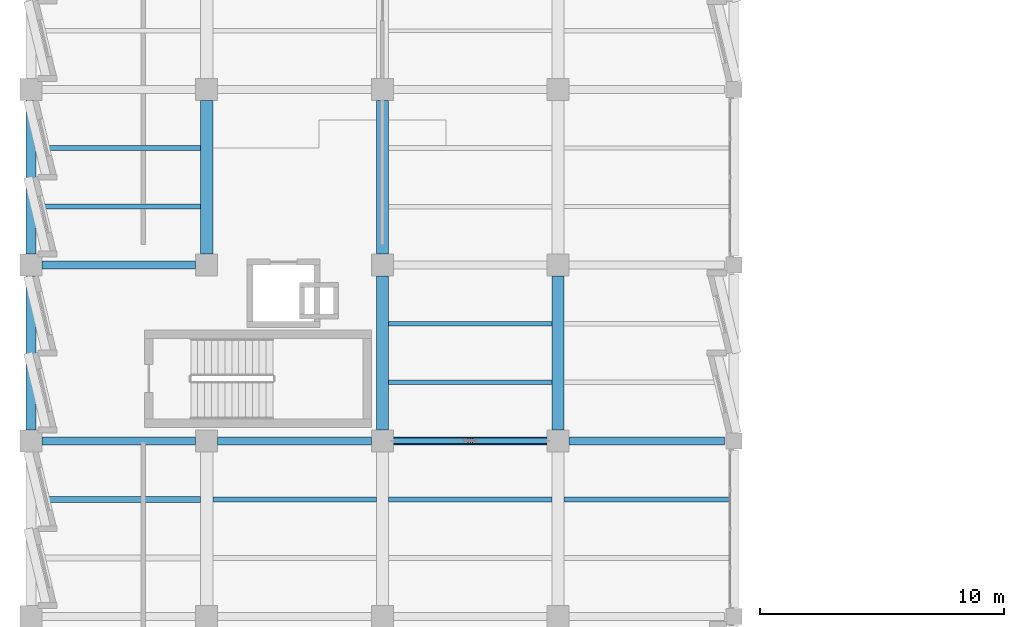
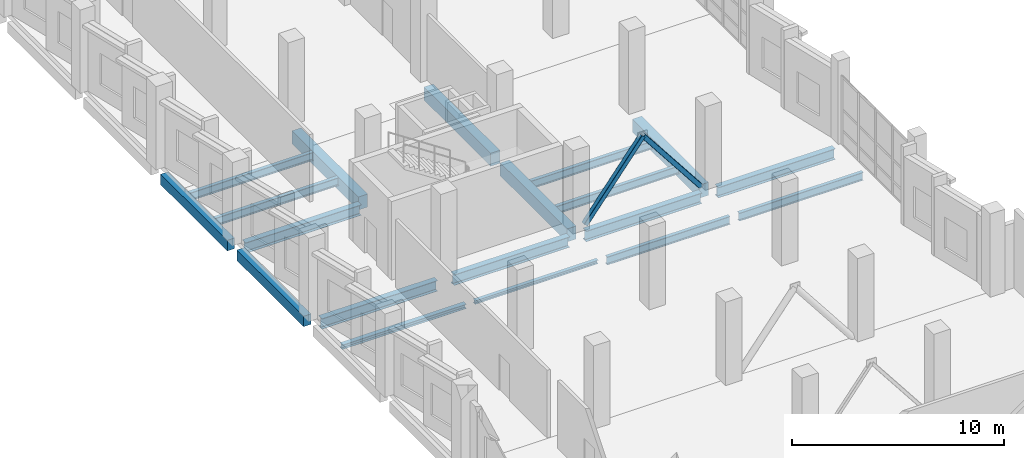
# One storey, part 17 of 127: 19 beams, 2 members.
"""IFC4 building model written with IfcOpenShell, lengths in metres."""

from ifc_helpers import new_model, si_unit, direction, frame, origin, origin_2d, place, context, subcontext, project, spatial, rectangle, hollow_rectangle, i_section, extrude, material, material_profile, profile_set, type_object, element, save


model = new_model("IFC4")

# Units and contexts
model_context = context("Model", 3, precision=1e-05, world=origin(), true_north=direction((0.0, 1.0)))
body_context = subcontext(model_context, "Body", "Model", "MODEL_VIEW")
ifc_project = project(units=[si_unit("LENGTHUNIT", "METRE"), si_unit("AREAUNIT", "SQUARE_METRE"), si_unit("VOLUMEUNIT", "CUBIC_METRE"), si_unit("PLANEANGLEUNIT", "RADIAN"), si_unit("MASSUNIT", "GRAM", prefix="KILO")], contexts=[model_context])

# Site, building, storey
site_placement = place(None, origin())
site = spatial("IfcSite", under=ifc_project, at=site_placement, CompositionType="ELEMENT")
building_placement = place(site_placement, origin())
building = spatial("IfcBuilding", under=site, at=building_placement, Name="Kalmorath City Hall", CompositionType="ELEMENT")
storey_placement = place(building_placement, frame((0.0, 0.0, 5.39990234375)))
storey = spatial("IfcBuildingStorey", under=building, at=storey_placement, Name="L01", CompositionType="ELEMENT", Elevation=5.39990234375)

# Beams
ifc_material_1 = material(Name="Concrete C40/50", Category="concrete")
ifc_material_profile_1 = material_profile(ifc_material_1, rectangle(XDim=0.39990234375, YDim=0.60009765625, at=origin_2d()), Name="RC-BM-400X600")
ifc_profile_set_1 = profile_set([ifc_material_profile_1], Name="Concrete C40/50")
beam_type_1 = type_object("IfcBeamType", Name="Concrete edge beam 400x600", PredefinedType="SPANDREL", material=ifc_profile_set_1)
beam_1_placement = place(storey_placement, frame((0.0, 50.85009765625, -0.6240234375), z_axis=(0.0, 1.0, 0.0), x_axis=(-1.0, 0.0, 0.0)))
element("IfcBeam", 1, at=beam_1_placement, inside=storey, type_object=beam_type_1, Name="L01 girder CB6 Y1/8-9", PredefinedType="SPANDREL", context=body_context, shape_type="SweptSolid", body=[
    extrude(rectangle(XDim=0.39990234375, YDim=0.60009765625, at=origin_2d()), origin(), (0.0, 0.0, 1.0), 6.2998046875),
])
beam_2_placement = place(storey_placement, frame((0.0, 58.050048828125, -0.6240234375), z_axis=(0.0, 1.0, 0.0), x_axis=(-1.0, 0.0, 0.0)))
element("IfcBeam", 2, at=beam_2_placement, inside=storey, type_object=beam_type_1, Name="L01 girder CB6 Y1/9-10", PredefinedType="SPANDREL", context=body_context, shape_type="SweptSolid", body=[
    extrude(rectangle(XDim=0.39990234375, YDim=0.60009765625, at=origin_2d()), origin(), (0.0, 0.0, 1.0), 6.300048828125),
])
ifc_material_2 = material(Name="Concrete C40/50", Category="concrete")
ifc_material_profile_2 = material_profile(ifc_material_2, rectangle(XDim=0.5, YDim=0.75, at=origin_2d()), Name="RC-BM-500X750")
ifc_profile_set_2 = profile_set([ifc_material_profile_2], Name="Concrete C40/50")
beam_type_2 = type_object("IfcBeamType", Name="Concrete floor beam 500x750", PredefinedType="BEAM", material=ifc_profile_set_2)
beam_3_placement = place(storey_placement, frame((7.199951171875, 58.050048828125, -0.698974609375), z_axis=(0.0, 1.0, 0.0), x_axis=(-1.0, 0.0, 0.0)))
element("IfcBeam", 3, at=beam_3_placement, inside=storey, type_object=beam_type_2, Name="L01 girder CB3 Y2/9-10", PredefinedType="BEAM", context=body_context, shape_type="SweptSolid", body=[
    extrude(rectangle(XDim=0.5, YDim=0.75, at=origin_2d()), origin(), (0.0, 0.0, 1.0), 6.300048828125),
])
beam_4_placement = place(storey_placement, frame((14.39990234375, 50.85009765625, -0.698974609375), z_axis=(0.0, 1.0, 0.0), x_axis=(-1.0, 0.0, 0.0)))
element("IfcBeam", 4, at=beam_4_placement, inside=storey, type_object=beam_type_2, Name="L01 girder CB3 Y3/8-9", PredefinedType="BEAM", context=body_context, shape_type="SweptSolid", body=[
    extrude(rectangle(XDim=0.5, YDim=0.75, at=origin_2d()), origin(), (0.0, 0.0, 1.0), 6.2998046875),
])
beam_5_placement = place(storey_placement, frame((14.39990234375, 58.050048828125, -0.698974609375), z_axis=(0.0, 1.0, 0.0), x_axis=(-1.0, 0.0, 0.0)))
element("IfcBeam", 5, at=beam_5_placement, inside=storey, type_object=beam_type_2, Name="L01 girder CB3 Y3/9-10", PredefinedType="BEAM", context=body_context, shape_type="SweptSolid", body=[
    extrude(rectangle(XDim=0.5, YDim=0.75, at=origin_2d()), origin(), (0.0, 0.0, 1.0), 6.300048828125),
])
beam_6_placement = place(storey_placement, frame((21.60009765625, 50.85009765625, -0.698974609375), z_axis=(0.0, 1.0, 0.0), x_axis=(-1.0, 0.0, 0.0)))
element("IfcBeam", 6, at=beam_6_placement, inside=storey, type_object=beam_type_2, Name="L01 girder CB3 Y4/8-9", PredefinedType="BEAM", context=body_context, shape_type="SweptSolid", body=[
    extrude(rectangle(XDim=0.5, YDim=0.75, at=origin_2d()), origin(), (0.0, 0.0, 1.0), 6.2998046875),
])
ifc_material_3 = material(Name="Steel ASTM A992 Grade 50", Category="steel")
ifc_material_profile_3 = material_profile(ifc_material_3, i_section(OverallWidth=0.19091796875, OverallDepth=0.4599609375, WebThickness=0.010009765625, FlangeThickness=0.01611328125, FilletRadius=0.013916015625, at=origin_2d()), Name="W18X55")
ifc_profile_set_3 = profile_set([ifc_material_profile_3], Name="Steel ASTM A992 Grade 50")
beam_type_3 = type_object("IfcBeamType", Name="Steel composite joist W18X55", PredefinedType="JOIST", material=ifc_profile_set_3)
for number, where, z_axis, x_axis, name in (
    (7, (14.64990234375, 52.800048828125, -0.553955078125), (1.0, 0.0, 0.0), (0.0, 1.0, 0.0), "L01 joist SJ2 3.8.1"),
    (8, (14.64990234375, 55.199951171875, -0.553955078125), (1.0, 0.0, 0.0), (0.0, 1.0, 0.0), "L01 joist SJ2 3.8.2"),
):
    element("IfcBeam", number, at=place(storey_placement, frame(where, z_axis=z_axis, x_axis=x_axis)), inside=storey, type_object=beam_type_3, Name=name, PredefinedType="JOIST", context=body_context, shape_type="SweptSolid", body=[
        extrude(i_section(OverallWidth=0.19091796875, OverallDepth=0.4599609375, WebThickness=0.010009765625, FlangeThickness=0.01611328125, FilletRadius=0.013916015625, at=origin_2d()), origin(), (0.0, 0.0, 1.0), 6.7001953125),
    ])
beam_7_placement = place(storey_placement, frame((21.85009765625, 48.0, -0.553955078125), z_axis=(1.0, 0.0, 0.0), x_axis=(0.0, 1.0, 0.0)))
element("IfcBeam", 9, at=beam_7_placement, inside=storey, type_object=beam_type_3, Name="L01 joist SJ2 4.7.2", PredefinedType="JOIST", context=body_context, shape_type="SweptSolid", body=[
    extrude(i_section(OverallWidth=0.19091796875, OverallDepth=0.4599609375, WebThickness=0.010009765625, FlangeThickness=0.01611328125, FilletRadius=0.013916015625, at=origin_2d()), origin(), (0.0, 0.0, 1.0), 6.75),
])
ifc_material_4 = material(Name="Steel ASTM A992 Grade 50", Category="steel")
ifc_material_profile_4 = material_profile(ifc_material_4, i_section(OverallWidth=0.193115234375, OverallDepth=0.466064453125, WebThickness=0.011474609375, FlangeThickness=0.01904296875, FilletRadius=0.013916015625, at=origin_2d()), Name="W18X65")
ifc_profile_set_4 = profile_set([ifc_material_profile_4], Name="Steel ASTM A992 Grade 50")
beam_type_4 = type_object("IfcBeamType", Name="Steel composite joist W18X65", PredefinedType="JOIST", material=ifc_profile_set_4)
for number, where, z_axis, x_axis, name in (
    (10, (0.199951171875, 60.0, -0.556884765625), (1.0, 0.0, 0.0), (0.0, 1.0, 0.0), "L01 joist SJ1 1.9.1"),
    (11, (0.199951171875, 62.39990234375, -0.556884765625), (1.0, 0.0, 0.0), (0.0, 1.0, 0.0), "L01 joist SJ1 1.9.2"),
):
    element("IfcBeam", number, at=place(storey_placement, frame(where, z_axis=z_axis, x_axis=x_axis)), inside=storey, type_object=beam_type_4, Name=name, PredefinedType="JOIST", context=body_context, shape_type="SweptSolid", body=[
        extrude(i_section(OverallWidth=0.193115234375, OverallDepth=0.466064453125, WebThickness=0.011474609375, FlangeThickness=0.01904296875, FilletRadius=0.013916015625, at=origin_2d()), origin(), (0.0, 0.0, 1.0), 6.75),
    ])
beam_8_placement = place(storey_placement, frame((14.64990234375, 48.0, -0.556884765625), z_axis=(1.0, 0.0, 0.0), x_axis=(0.0, 1.0, 0.0)))
element("IfcBeam", 12, at=beam_8_placement, inside=storey, type_object=beam_type_4, Name="L01 joist SJ1 3.7.2", PredefinedType="JOIST", context=body_context, shape_type="SweptSolid", body=[
    extrude(i_section(OverallWidth=0.193115234375, OverallDepth=0.466064453125, WebThickness=0.011474609375, FlangeThickness=0.01904296875, FilletRadius=0.013916015625, at=origin_2d()), origin(), (0.0, 0.0, 1.0), 6.7001953125),
])
ifc_material_5 = material(Name="Steel ASTM A992 Grade 50", Category="steel")
ifc_material_profile_5 = material_profile(ifc_material_5, i_section(OverallWidth=0.202880859375, OverallDepth=0.202880859375, WebThickness=0.007080078125, FlangeThickness=0.010986328125, FilletRadius=0.010986328125, at=origin_2d()), Name="W8X31")
ifc_profile_set_5 = profile_set([ifc_material_profile_5], Name="Steel ASTM A992 Grade 50")
beam_type_5 = type_object("IfcBeamType", Name="Steel edge trimmer W8X31", PredefinedType="LINTEL", material=ifc_profile_set_5)
beam_9_placement = place(storey_placement, frame((7.449951171875, 48.0, -0.42529296875), z_axis=(1.0, 0.0, 0.0), x_axis=(0.0, 1.0, 0.0)))
element("IfcBeam", 13, at=beam_9_placement, inside=storey, type_object=beam_type_5, Name="L01 joist SJ16 2.7.2", PredefinedType="LINTEL", context=body_context, shape_type="SweptSolid", body=[
    extrude(i_section(OverallWidth=0.202880859375, OverallDepth=0.202880859375, WebThickness=0.007080078125, FlangeThickness=0.010986328125, FilletRadius=0.010986328125, at=origin_2d()), origin(), (0.0, 0.0, 1.0), 6.699951171875),
])
ifc_material_6 = material(Name="Steel ASTM A992 Grade 50", Category="steel")
ifc_material_profile_6 = material_profile(ifc_material_6, i_section(OverallWidth=0.323974609375, OverallDepth=0.611083984375, WebThickness=0.0126953125, FlangeThickness=0.01904296875, FilletRadius=0.01611328125, at=origin_2d()), Name="W24X104")
ifc_profile_set_6 = profile_set([ifc_material_profile_6], Name="Steel ASTM A992 Grade 50")
beam_type_6 = type_object("IfcBeamType", Name="Steel floor girder W24X104", PredefinedType="BEAM", material=ifc_profile_set_6)
for number, where, z_axis, x_axis, name in (
    (14, (0.449951171875, 50.39990234375, -0.62939453125), (1.0, 0.0, 0.0), (0.0, 1.0, 0.0), "L01 girder SG7 X1-2/8"),
    (15, (7.64990234375, 50.39990234375, -0.62939453125), (1.0, 0.0, 0.0), (0.0, 1.0, 0.0), "L01 girder SG7 X2-3/8"),
):
    element("IfcBeam", number, at=place(storey_placement, frame(where, z_axis=z_axis, x_axis=x_axis)), inside=storey, type_object=beam_type_6, Name=name, PredefinedType="BEAM", context=body_context, shape_type="SweptSolid", body=[
        extrude(i_section(OverallWidth=0.323974609375, OverallDepth=0.611083984375, WebThickness=0.0126953125, FlangeThickness=0.01904296875, FilletRadius=0.01611328125, at=origin_2d()), origin(), (0.0, 0.0, 1.0), 6.300048828125),
    ])
beam_10_placement = place(storey_placement, frame((14.85009765625, 50.39990234375, -0.62939453125), z_axis=(1.0, 0.0, 0.0), x_axis=(0.0, 1.0, 0.0)))
element("IfcBeam", 16, at=beam_10_placement, inside=storey, type_object=beam_type_6, Name="L01 girder SG7 X3-4/8", PredefinedType="BEAM", context=body_context, shape_type="SweptSolid", body=[
    extrude(i_section(OverallWidth=0.323974609375, OverallDepth=0.611083984375, WebThickness=0.0126953125, FlangeThickness=0.01904296875, FilletRadius=0.01611328125, at=origin_2d()), origin(), (0.0, 0.0, 1.0), 6.2998046875),
])
beam_11_placement = place(storey_placement, frame((22.050048828125, 50.39990234375, -0.62939453125), z_axis=(1.0, 0.0, 0.0), x_axis=(0.0, 1.0, 0.0)))
element("IfcBeam", 17, at=beam_11_placement, inside=storey, type_object=beam_type_6, Name="L01 girder SG7 X4-5/8", PredefinedType="BEAM", context=body_context, shape_type="SweptSolid", body=[
    extrude(i_section(OverallWidth=0.323974609375, OverallDepth=0.611083984375, WebThickness=0.0126953125, FlangeThickness=0.01904296875, FilletRadius=0.01611328125, at=origin_2d()), origin(), (0.0, 0.0, 1.0), 6.375),
])
beam_12_placement = place(storey_placement, frame((0.449951171875, 57.60009765625, -0.62939453125), z_axis=(1.0, 0.0, 0.0), x_axis=(0.0, 1.0, 0.0)))
element("IfcBeam", 18, at=beam_12_placement, inside=storey, type_object=beam_type_6, Name="L01 girder SG7 X1-2/9", PredefinedType="BEAM", context=body_context, shape_type="SweptSolid", body=[
    extrude(i_section(OverallWidth=0.323974609375, OverallDepth=0.611083984375, WebThickness=0.0126953125, FlangeThickness=0.01904296875, FilletRadius=0.01611328125, at=origin_2d()), origin(), (0.0, 0.0, 1.0), 6.300048828125),
])

# Members
ifc_material_7 = material(Name="Steel ASTM A500 Grade C", Category="steel")
ifc_material_profile_7 = material_profile(ifc_material_7, hollow_rectangle(XDim=0.25390625, YDim=0.25390625, WallThickness=0.01171875, InnerFilletRadius=0.01171875, OuterFilletRadius=0.023681640625, at=origin_2d()), Name="HSS254X254X12.7")
ifc_profile_set_7 = profile_set([ifc_material_profile_7], Name="Steel ASTM A500 Grade C")
member_type = type_object("IfcMemberType", Name="Steel seismic chevron brace HSS254X254X12.7", PredefinedType="BRACE", material=ifc_profile_set_7)
for number, where, z_axis, x_axis, name in (
    (19, (14.85009765625, 50.39990234375, 0.0), (0.616769609155, 0.0, 0.787143728441), (0.0, 1.0, 0.0), "L01 chevron brace BR1 3A"),
    (20, (21.14990234375, 50.39990234375, 0.0), (-0.616769609155, 0.0, 0.787143728441), (0.0, -1.0, 0.0), "L01 chevron brace BR1 3B"),
):
    element("IfcMember", number, at=place(storey_placement, frame(where, z_axis=z_axis, x_axis=x_axis)), inside=storey, type_object=member_type, Name=name, PredefinedType="BRACE", context=body_context, shape_type="SweptSolid", body=[
        extrude(hollow_rectangle(XDim=0.25390625, YDim=0.25390625, WallThickness=0.01171875, InnerFilletRadius=0.01171875, OuterFilletRadius=0.023681640625, at=origin_2d()), origin(), (0.0, 0.0, 1.0), 5.107177734375),
    ])

# Beam
ifc_material_8 = material(Name="Steel ASTM A992 Grade 50", Category="steel")
ifc_material_profile_8 = material_profile(ifc_material_8, i_section(OverallWidth=0.25390625, OverallDepth=0.2529296875, WebThickness=0.008544921875, FlangeThickness=0.01416015625, FilletRadius=0.011962890625, at=origin_2d()), Name="W10X49")
ifc_profile_set_8 = profile_set([ifc_material_profile_8], Name="Steel ASTM A992 Grade 50")
beam_type_7 = type_object("IfcBeamType", Name="Steel trimmer beam W10X49", PredefinedType="BEAM", material=ifc_profile_set_8)
beam_13_placement = place(storey_placement, frame((0.199951171875, 48.0, -0.450439453125), z_axis=(1.0, 0.0, 0.0), x_axis=(0.0, 1.0, 0.0)))
element("IfcBeam", 21, at=beam_13_placement, inside=storey, type_object=beam_type_7, Name="L01 joist SJ14 1.7.2", PredefinedType="BEAM", context=body_context, shape_type="SweptSolid", body=[
    extrude(i_section(OverallWidth=0.25390625, OverallDepth=0.2529296875, WebThickness=0.008544921875, FlangeThickness=0.01416015625, FilletRadius=0.011962890625, at=origin_2d()), origin(), (0.0, 0.0, 1.0), 6.75),
])

save(model, "model.ifc")
